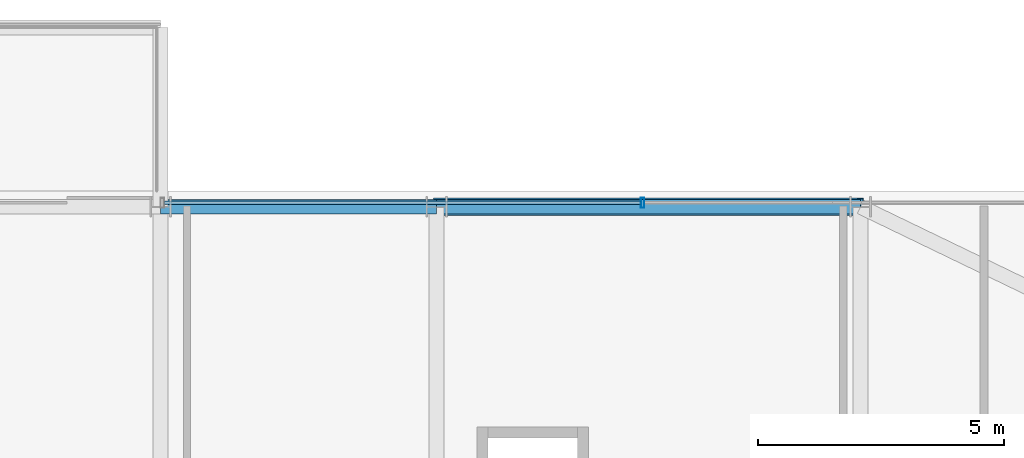
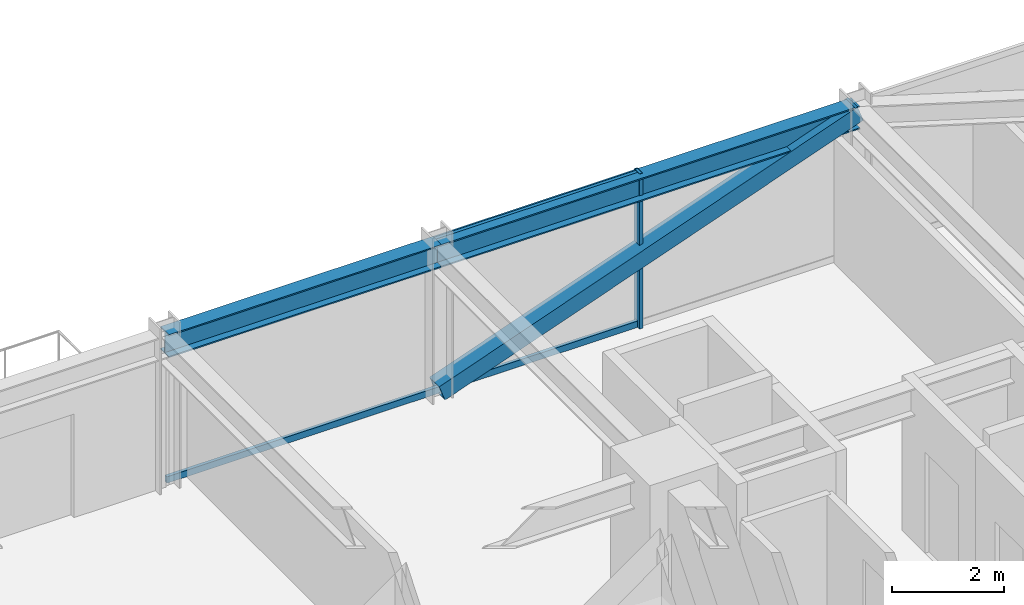
# One storey, part 28 of 43: 4 members, 2 beams, 1 element without a shape of its own.
"""IFC4 building model written with IfcOpenShell, lengths in metres."""

from ifc_helpers import new_model, si_unit, direction, frame, origin, origin_2d, place, context, subcontext, project, spatial, hollow_rectangle, i_section, extrude, source, transform, mapped, material, material_profile, profile_set, type_object, element, aggregate, save


model = new_model("IFC4")

# Units and contexts
model_context = context("Model", 3, precision=1e-05, world=origin(), true_north=direction((0.0, 1.0)))
body_context = subcontext(model_context, "Body", "Model", "MODEL_VIEW")
ifc_project = project(units=[si_unit("LENGTHUNIT", "METRE"), si_unit("AREAUNIT", "SQUARE_METRE"), si_unit("VOLUMEUNIT", "CUBIC_METRE"), si_unit("PLANEANGLEUNIT", "RADIAN"), si_unit("MASSUNIT", "GRAM", prefix="KILO")], contexts=[model_context])

# Site, building, storey
site_placement = place(None, origin())
site = spatial("IfcSite", under=ifc_project, at=site_placement, CompositionType="ELEMENT")
building_placement = place(site_placement, origin())
building = spatial("IfcBuilding", under=site, at=building_placement, Name="Nahalor Promenade Grand Hotel", CompositionType="ELEMENT")
storey_placement = place(building_placement, frame((0.0, 0.0, 47.0)))
storey = spatial("IfcBuildingStorey", under=building, at=storey_placement, Name="L10", CompositionType="ELEMENT", Elevation=47.0)

# Beams
ifc_material_1 = material(Name="Steel S355JR", Category="steel")
ifc_material_profile_1 = material_profile(ifc_material_1, i_section(OverallWidth=0.3, OverallDepth=0.5, WebThickness=0.0145, FlangeThickness=0.028, at=origin_2d()), Name="HEB 500")
ifc_profile_set_1 = profile_set([ifc_material_profile_1], Name="Steel S355JR")
beam_type = type_object("IfcBeamType", Name="Beam-Spandrel-HEB500", PredefinedType="SPANDREL", material=ifc_profile_set_1)
shared_shape_1 = source(origin(), body_context, "Body", "SweptSolid", [
    extrude(i_section(OverallWidth=0.3, OverallDepth=0.5, WebThickness=0.0145, FlangeThickness=0.028, at=origin_2d()), origin(), (0.0, 0.0, 1.0), 8.60009765625),
])
beam_1_placement = place(storey_placement, frame((8.39990234375, 25.080078125, 3.1201171875), z_axis=(1.0, 0.0, 0.0), x_axis=(0.0, 1.0, 0.0)))
element("IfcBeam", 1, at=beam_1_placement, inside=storey, type_object=beam_type, Name="BM-L10-SP-N-4", PredefinedType="SPANDREL", context=body_context, shape_type="MappedRepresentation", body=[
    mapped(shared_shape_1, transform((0.0, 0.0, 0.0), scale=1.0)),
])
shared_shape_2 = source(origin(), body_context, "Body", "SweptSolid", [
    extrude(i_section(OverallWidth=0.3, OverallDepth=0.5, WebThickness=0.0145, FlangeThickness=0.028, at=origin_2d()), origin(), (0.0, 0.0, 1.0), 5.599853515625),
])
beam_2_placement = place(storey_placement, frame((2.800048828125, 25.080078125, 3.1201171875), z_axis=(1.0, 0.0, 0.0), x_axis=(0.0, 1.0, 0.0)))
element("IfcBeam", 2, at=beam_2_placement, inside=storey, type_object=beam_type, Name="BM-L10-SP-N-3", PredefinedType="SPANDREL", context=body_context, shape_type="MappedRepresentation", body=[
    mapped(shared_shape_2, transform((0.0, 0.0, 0.0), scale=1.0)),
])

# Member
ifc_material_profile_2 = material_profile(ifc_material_1, hollow_rectangle(XDim=0.35, YDim=0.35, WallThickness=0.02, at=origin_2d()), Name="SHS 350x350x20")
ifc_profile_set_2 = profile_set([ifc_material_profile_2], Name="Steel S355JR")
member_type_1 = type_object("IfcMemberType", Name="Mem-VoidBrace-SHS350", PredefinedType="BRACE", material=ifc_profile_set_2)
shared_shape_3 = source(origin(), body_context, "Body", "SweptSolid", [
    extrude(hollow_rectangle(XDim=0.35, YDim=0.35, WallThickness=0.02, at=origin_2d()), origin(), (0.0, 0.0, 1.0), 9.131591796875),
])
member_1_placement = place(storey_placement, frame((8.39990234375, 25.080078125, 0.14990234375), z_axis=(0.941790292179, 0.0, 0.336200900589), x_axis=(0.0, 1.0, 0.0)))
element("IfcMember", 3, at=member_1_placement, inside=storey, type_object=member_type_1, Name="EXO-L10-N-1", PredefinedType="BRACE", context=body_context, shape_type="MappedRepresentation", body=[
    mapped(shared_shape_3, transform((0.0, 0.0, 0.0), scale=1.0)),
])

# Curtain wall, members
ifc_material_2 = material(Name="Anodised Bronze Aluminium EN AW-6063 T6", Category="aluminium")
curtain_wall_type = type_object("IfcCurtainWallType", Name="CW3 Elliptical-Void Collar Unitised Curtain Wall", PredefinedType="USERDEFINED", material=ifc_material_2)
curtain_wall_placement = place(storey_placement, origin())
curtain_wall = element("IfcCurtainWall", 4, at=curtain_wall_placement, inside=storey, type_object=curtain_wall_type, Name="L10 Curtain Wall CW-L10-N-3", ObjectType="UNITISED_CURTAIN_WALL", PredefinedType="USERDEFINED")
ifc_material_profile_3 = material_profile(ifc_material_2, hollow_rectangle(XDim=0.07, YDim=0.2, WallThickness=0.005, at=origin_2d()), Name="CWM 70x200x5")
ifc_profile_set_3 = profile_set([ifc_material_profile_3], Name="Anodised Bronze Aluminium EN AW-6063 T6")
member_type_2 = type_object("IfcMemberType", Name="CWM3 Void Collar Mullion 70x200", PredefinedType="MULLION", material=ifc_profile_set_3)
shared_shape_4 = source(origin(), body_context, "Body", "SweptSolid", [
    extrude(hollow_rectangle(XDim=0.07, YDim=0.2, WallThickness=0.005, at=origin_2d()), origin(), (0.0, 0.0, 1.0), 3.3701171875),
])
member_2_placement = place(storey_placement, frame((12.580078125, 25.159912109375, 0.0), z_axis=(0.0, 0.0, 1.0), x_axis=(1.0, 0.0, 0.0)))
member_2 = element("IfcMember", 5, at=member_2_placement, type_object=member_type_2, Name="CW-L10-N-3 Mullion 1", PredefinedType="MULLION", context=body_context, shape_type="MappedRepresentation", body=[
    mapped(shared_shape_4, transform((0.0, 0.0, 0.0), scale=1.0)),
])
ifc_material_profile_4 = material_profile(ifc_material_2, hollow_rectangle(XDim=0.07, YDim=0.14, WallThickness=0.004, at=origin_2d()), Name="CWT 70x140x4")
ifc_profile_set_4 = profile_set([ifc_material_profile_4], Name="Anodised Bronze Aluminium EN AW-6063 T6")
member_type_3 = type_object("IfcMemberType", Name="CWT3 Void Collar Transom 70x140", PredefinedType="USERDEFINED", material=ifc_profile_set_4)
shared_shape_5 = source(origin(), body_context, "Body", "SweptSolid", [
    extrude(hollow_rectangle(XDim=0.07, YDim=0.14, WallThickness=0.004, at=origin_2d()), origin(), (0.0, 0.0, 1.0), 9.6748046875),
])
member_3_placement = place(storey_placement, frame((2.8701171875, 25.159912109375, 0.070068359375), z_axis=(1.0, 0.0, 0.0), x_axis=(0.0, 1.0, 0.0)))
member_3 = element("IfcMember", 6, at=member_3_placement, type_object=member_type_3, Name="CW-L10-N-3 Transom 0-0", ObjectType="TRANSOM", PredefinedType="USERDEFINED", context=body_context, shape_type="MappedRepresentation", body=[
    mapped(shared_shape_5, transform((0.0, 0.0, 0.0), scale=1.0)),
])
member_4_placement = place(storey_placement, frame((2.8701171875, 25.159912109375, 3.300048828125), z_axis=(1.0, 0.0, 0.0), x_axis=(0.0, 1.0, 0.0)))
member_4 = element("IfcMember", 7, at=member_4_placement, type_object=member_type_3, Name="CW-L10-N-3 Transom 0-1", ObjectType="TRANSOM", PredefinedType="USERDEFINED", context=body_context, shape_type="MappedRepresentation", body=[
    mapped(shared_shape_5, transform((0.0, 0.0, 0.0), scale=1.0)),
])
aggregate(curtain_wall, [member_2, member_3, member_4])

save(model, "model.ifc")
